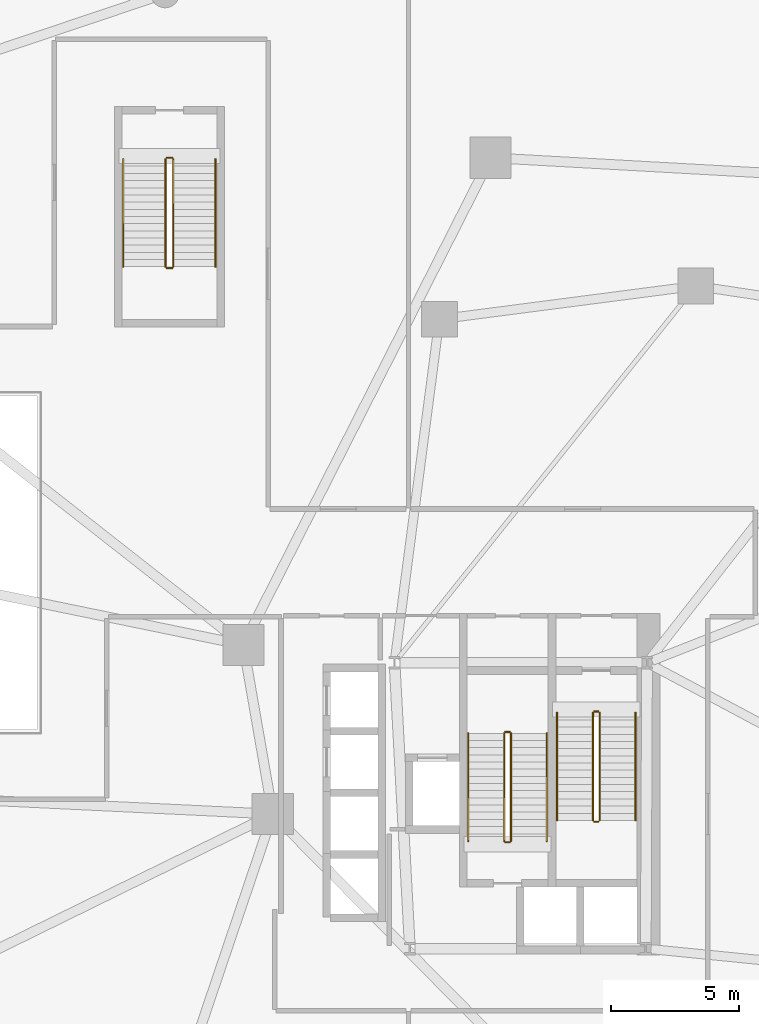
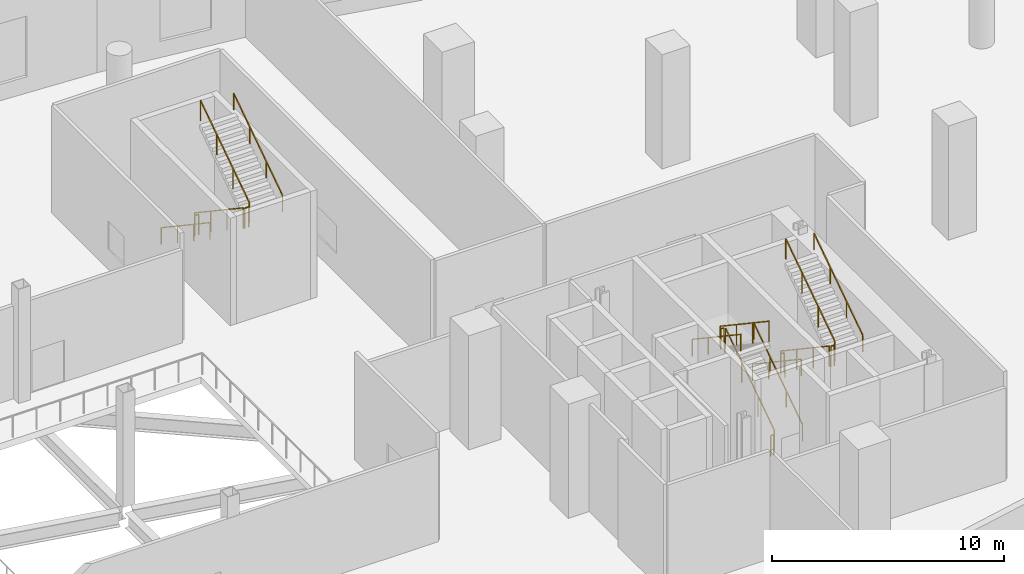
# One storey, part 20 of 20: 18 railings.
"""IFC4 building model written with IfcOpenShell, lengths in metres."""

from ifc_helpers import new_model, si_unit, direction, frame, origin, origin_2d, place, context, subcontext, project, spatial, rectangle, extrude, material, type_object, element, save


model = new_model("IFC4")

# Units and contexts
model_context = context("Model", 3, precision=1e-05, world=origin(), true_north=direction((0.0, 1.0)))
body_context = subcontext(model_context, "Body", "Model", "MODEL_VIEW")
ifc_project = project(units=[si_unit("LENGTHUNIT", "METRE"), si_unit("AREAUNIT", "SQUARE_METRE"), si_unit("VOLUMEUNIT", "CUBIC_METRE"), si_unit("PLANEANGLEUNIT", "RADIAN"), si_unit("MASSUNIT", "GRAM", prefix="KILO"), si_unit("THERMODYNAMICTEMPERATUREUNIT", "KELVIN"), si_unit("POWERUNIT", "WATT")], contexts=[model_context])

# Site, building, storey
site_placement = place(None, origin())
site = spatial("IfcSite", under=ifc_project, at=site_placement, CompositionType="ELEMENT")
building_placement = place(site_placement, origin())
building = spatial("IfcBuilding", under=site, at=building_placement, Name="Cundina Bronze Exchange", CompositionType="ELEMENT")
storey_placement = place(building_placement, frame((0.0, 0.0, 6.0)))
storey = spatial("IfcBuildingStorey", under=building, at=storey_placement, Name="L01", CompositionType="ELEMENT", Elevation=6.0)

# Railings
ifc_material = material(Name="Steel ASTM A36 Painted", Category="steel")
railing_type_1 = type_object("IfcRailingType", Name="RLG-HND-900", PredefinedType="HANDRAIL", material=ifc_material)
railing_1_placement = place(storey_placement, frame((27.7900390625, -5.85009765625, 0.1875)))
element("IfcRailing", 1, at=railing_1_placement, inside=storey, type_object=railing_type_1, Name="L01 ST-E1 stair handrail 1", PredefinedType="HANDRAIL", context=body_context, shape_type="SweptSolid", body=[
    extrude(rectangle(XDim=0.048095703125, YDim=0.048095703125, at=origin_2d()), frame((0.0, 0.0, 0.8759765625), z_axis=(0.0, -0.830904186295, 0.556415522067), x_axis=(1.0, 0.0, 0.0)), (0.0, 0.0, 1.0), 5.0546875),
    extrude(rectangle(XDim=0.0419921875, YDim=0.0419921875, at=origin_2d()), origin(), (0.0, 0.0, 1.0), 0.851806640625),
    extrude(rectangle(XDim=0.0419921875, YDim=0.0419921875, at=origin_2d()), frame((0.0, -1.39990234375, 0.9375)), (0.0, 0.0, 1.0), 0.851806640625),
    extrude(rectangle(XDim=0.0419921875, YDim=0.0419921875, at=origin_2d()), frame((0.0, -2.800048828125, 1.875)), (0.0, 0.0, 1.0), 0.851806640625),
    extrude(rectangle(XDim=0.0419921875, YDim=0.0419921875, at=origin_2d()), frame((0.0, -4.199951171875, 2.8125)), (0.0, 0.0, 1.0), 0.851806640625),
])
railing_2_placement = place(storey_placement, frame((30.85009765625, -10.050048828125, 3.1875)))
element("IfcRailing", 2, at=railing_2_placement, inside=storey, type_object=railing_type_1, Name="L01 ST-E1 stair handrail 2", PredefinedType="HANDRAIL", context=body_context, shape_type="SweptSolid", body=[
    extrude(rectangle(XDim=0.048095703125, YDim=0.048095703125, at=origin_2d()), frame((0.0, 0.0, 0.8759765625), z_axis=(0.0, 0.830904186295, 0.556415522067), x_axis=(-1.0, 0.0, 0.0)), (0.0, 0.0, 1.0), 5.0546875),
    extrude(rectangle(XDim=0.0419921875, YDim=0.0419921875, at=origin_2d()), origin(), (0.0, 0.0, 1.0), 0.851806640625),
    extrude(rectangle(XDim=0.0419921875, YDim=0.0419921875, at=origin_2d()), frame((0.0, 1.39990234375, 0.9375)), (0.0, 0.0, 1.0), 0.851806640625),
    extrude(rectangle(XDim=0.0419921875, YDim=0.0419921875, at=origin_2d()), frame((0.0, 2.800048828125, 1.875)), (0.0, 0.0, 1.0), 0.851806640625),
    extrude(rectangle(XDim=0.0419921875, YDim=0.0419921875, at=origin_2d()), frame((0.0, 4.199951171875, 2.8125)), (0.0, 0.0, 1.0), 0.851806640625),
])
railing_3_placement = place(storey_placement, frame((27.389892578125, -10.85009765625, 0.1875)))
element("IfcRailing", 3, at=railing_3_placement, inside=storey, type_object=railing_type_1, Name="L01 ST-E2 stair handrail 1", PredefinedType="HANDRAIL", context=body_context, shape_type="SweptSolid", body=[
    extrude(rectangle(XDim=0.048095703125, YDim=0.048095703125, at=origin_2d()), frame((0.0, 0.0, 0.8759765625), z_axis=(0.0, 0.830919138977, 0.55639319234), x_axis=(-1.0, 0.0, 0.0)), (0.0, 0.0, 1.0), 5.054931640625),
    extrude(rectangle(XDim=0.0419921875, YDim=0.0419921875, at=origin_2d()), origin(), (0.0, 0.0, 1.0), 0.851806640625),
    extrude(rectangle(XDim=0.0419921875, YDim=0.0419921875, at=origin_2d()), frame((0.0, 1.400146484375, 0.9375)), (0.0, 0.0, 1.0), 0.851806640625),
    extrude(rectangle(XDim=0.0419921875, YDim=0.0419921875, at=origin_2d()), frame((0.0, 2.800048828125, 1.875)), (0.0, 0.0, 1.0), 0.851806640625),
    extrude(rectangle(XDim=0.0419921875, YDim=0.0419921875, at=origin_2d()), frame((0.0, 4.2001953125, 2.8125)), (0.0, 0.0, 1.0), 0.851806640625),
])
railing_4_placement = place(storey_placement, frame((24.330078125, -6.64990234375, 3.1875)))
element("IfcRailing", 4, at=railing_4_placement, inside=storey, type_object=railing_type_1, Name="L01 ST-E2 stair handrail 2", PredefinedType="HANDRAIL", context=body_context, shape_type="SweptSolid", body=[
    extrude(rectangle(XDim=0.048095703125, YDim=0.048095703125, at=origin_2d()), frame((0.0, 0.0, 0.8759765625), z_axis=(0.0, -0.830919138977, 0.55639319234), x_axis=(1.0, 0.0, 0.0)), (0.0, 0.0, 1.0), 5.054931640625),
    extrude(rectangle(XDim=0.0419921875, YDim=0.0419921875, at=origin_2d()), origin(), (0.0, 0.0, 1.0), 0.851806640625),
    extrude(rectangle(XDim=0.0419921875, YDim=0.0419921875, at=origin_2d()), frame((0.0, -1.400146484375, 0.9375)), (0.0, 0.0, 1.0), 0.851806640625),
    extrude(rectangle(XDim=0.0419921875, YDim=0.0419921875, at=origin_2d()), frame((0.0, -2.800048828125, 1.875)), (0.0, 0.0, 1.0), 0.851806640625),
    extrude(rectangle(XDim=0.0419921875, YDim=0.0419921875, at=origin_2d()), frame((0.0, -4.2001953125, 2.8125)), (0.0, 0.0, 1.0), 0.851806640625),
])
railing_5_placement = place(storey_placement, frame((10.8701171875, 15.75, 0.1875)))
element("IfcRailing", 5, at=railing_5_placement, inside=storey, type_object=railing_type_1, Name="L01 ST-PE stair handrail 1", PredefinedType="HANDRAIL", context=body_context, shape_type="SweptSolid", body=[
    extrude(rectangle(XDim=0.048095703125, YDim=0.048095703125, at=origin_2d()), frame((0.0, 0.0, 0.8759765625), z_axis=(0.0, -0.830904186295, 0.556415522067), x_axis=(1.0, 0.0, 0.0)), (0.0, 0.0, 1.0), 5.0546875),
    extrude(rectangle(XDim=0.0419921875, YDim=0.0419921875, at=origin_2d()), origin(), (0.0, 0.0, 1.0), 0.851806640625),
    extrude(rectangle(XDim=0.0419921875, YDim=0.0419921875, at=origin_2d()), frame((0.0, -1.39990234375, 0.9375)), (0.0, 0.0, 1.0), 0.851806640625),
    extrude(rectangle(XDim=0.0419921875, YDim=0.0419921875, at=origin_2d()), frame((0.0, -2.800048828125, 1.875)), (0.0, 0.0, 1.0), 0.851806640625),
    extrude(rectangle(XDim=0.0419921875, YDim=0.0419921875, at=origin_2d()), frame((0.0, -4.199951171875, 2.8125)), (0.0, 0.0, 1.0), 0.851806640625),
])
railing_6_placement = place(storey_placement, frame((14.469970703125, 11.550048828125, 3.1875)))
element("IfcRailing", 6, at=railing_6_placement, inside=storey, type_object=railing_type_1, Name="L01 ST-PE stair handrail 2", PredefinedType="HANDRAIL", context=body_context, shape_type="SweptSolid", body=[
    extrude(rectangle(XDim=0.048095703125, YDim=0.048095703125, at=origin_2d()), frame((0.0, 0.0, 0.8759765625), z_axis=(0.0, 0.830904186295, 0.556415522067), x_axis=(-1.0, 0.0, 0.0)), (0.0, 0.0, 1.0), 5.0546875),
    extrude(rectangle(XDim=0.0419921875, YDim=0.0419921875, at=origin_2d()), origin(), (0.0, 0.0, 1.0), 0.851806640625),
    extrude(rectangle(XDim=0.0419921875, YDim=0.0419921875, at=origin_2d()), frame((0.0, 1.39990234375, 0.9375)), (0.0, 0.0, 1.0), 0.851806640625),
    extrude(rectangle(XDim=0.0419921875, YDim=0.0419921875, at=origin_2d()), frame((0.0, 2.800048828125, 1.875)), (0.0, 0.0, 1.0), 0.851806640625),
    extrude(rectangle(XDim=0.0419921875, YDim=0.0419921875, at=origin_2d()), frame((0.0, 4.199951171875, 2.8125)), (0.0, 0.0, 1.0), 0.851806640625),
])
railing_type_2 = type_object("IfcRailingType", Name="RLG-STG-1100", PredefinedType="GUARDRAIL", material=ifc_material)
railing_7_placement = place(storey_placement, frame((29.18994140625, -5.85009765625, 0.1875)))
element("IfcRailing", 7, at=railing_7_placement, inside=storey, type_object=railing_type_2, Name="L01 ST-E1 stair guard 1", PredefinedType="GUARDRAIL", context=body_context, shape_type="SweptSolid", body=[
    extrude(rectangle(XDim=0.048095703125, YDim=0.048095703125, at=origin_2d()), frame((0.0, 0.0, 1.076171875), z_axis=(0.0, -0.830904186295, 0.556415522067), x_axis=(1.0, 0.0, 0.0)), (0.0, 0.0, 1.0), 5.0546875),
    extrude(rectangle(XDim=0.0419921875, YDim=0.0419921875, at=origin_2d()), origin(), (0.0, 0.0, 1.0), 1.052001953125),
    extrude(rectangle(XDim=0.0419921875, YDim=0.0419921875, at=origin_2d()), frame((0.0, -1.39990234375, 0.9375)), (0.0, 0.0, 1.0), 1.052001953125),
    extrude(rectangle(XDim=0.0419921875, YDim=0.0419921875, at=origin_2d()), frame((0.0, -2.800048828125, 1.875)), (0.0, 0.0, 1.0), 1.052001953125),
    extrude(rectangle(XDim=0.0419921875, YDim=0.0419921875, at=origin_2d()), frame((0.0, -4.199951171875, 2.8125)), (0.0, 0.0, 1.0), 1.052001953125),
])
railing_8_placement = place(storey_placement, frame((29.239990234375, -10.10009765625, 3.0)))
element("IfcRailing", 8, at=railing_8_placement, inside=storey, type_object=railing_type_2, Name="L01 ST-E1 stair guard 2", PredefinedType="GUARDRAIL", context=body_context, shape_type="SweptSolid", body=[
    extrude(rectangle(XDim=0.048095703125, YDim=0.048095703125, at=origin_2d()), frame((0.0, 0.0, 1.076171875), z_axis=(1.0, 0.0, 0.0), x_axis=(0.0, 1.0, 0.0)), (0.0, 0.0, 1.0), 0.159912109375),
    extrude(rectangle(XDim=0.0419921875, YDim=0.0419921875, at=origin_2d()), origin(), (0.0, 0.0, 1.0), 1.052001953125),
    extrude(rectangle(XDim=0.0419921875, YDim=0.0419921875, at=origin_2d()), frame((0.159912109375, 0.0, 0.0)), (0.0, 0.0, 1.0), 1.052001953125),
])
railing_9_placement = place(storey_placement, frame((29.449951171875, -10.050048828125, 3.1875)))
element("IfcRailing", 9, at=railing_9_placement, inside=storey, type_object=railing_type_2, Name="L01 ST-E1 stair guard 3", PredefinedType="GUARDRAIL", context=body_context, shape_type="SweptSolid", body=[
    extrude(rectangle(XDim=0.048095703125, YDim=0.048095703125, at=origin_2d()), frame((0.0, 0.0, 1.076171875), z_axis=(0.0, 0.830904186295, 0.556415522067), x_axis=(-1.0, 0.0, 0.0)), (0.0, 0.0, 1.0), 5.0546875),
    extrude(rectangle(XDim=0.0419921875, YDim=0.0419921875, at=origin_2d()), origin(), (0.0, 0.0, 1.0), 1.052001953125),
    extrude(rectangle(XDim=0.0419921875, YDim=0.0419921875, at=origin_2d()), frame((0.0, 1.39990234375, 0.9375)), (0.0, 0.0, 1.0), 1.052001953125),
    extrude(rectangle(XDim=0.0419921875, YDim=0.0419921875, at=origin_2d()), frame((0.0, 2.800048828125, 1.875)), (0.0, 0.0, 1.0), 1.052001953125),
    extrude(rectangle(XDim=0.0419921875, YDim=0.0419921875, at=origin_2d()), frame((0.0, 4.199951171875, 2.8125)), (0.0, 0.0, 1.0), 1.052001953125),
])
railing_10_placement = place(storey_placement, frame((29.239990234375, -5.800048828125, 0.0)))
element("IfcRailing", 10, at=railing_10_placement, inside=storey, type_object=railing_type_2, Name="L01 ST-E1 stair guard 4", PredefinedType="GUARDRAIL", context=body_context, shape_type="SweptSolid", body=[
    extrude(rectangle(XDim=0.048095703125, YDim=0.048095703125, at=origin_2d()), frame((0.0, 0.0, 1.076171875), z_axis=(1.0, 0.0, 0.0), x_axis=(0.0, 1.0, 0.0)), (0.0, 0.0, 1.0), 0.159912109375),
    extrude(rectangle(XDim=0.0419921875, YDim=0.0419921875, at=origin_2d()), origin(), (0.0, 0.0, 1.0), 1.052001953125),
    extrude(rectangle(XDim=0.0419921875, YDim=0.0419921875, at=origin_2d()), frame((0.159912109375, 0.0, 0.0)), (0.0, 0.0, 1.0), 1.052001953125),
])
railing_11_placement = place(storey_placement, frame((25.989990234375, -10.85009765625, 0.1875)))
element("IfcRailing", 11, at=railing_11_placement, inside=storey, type_object=railing_type_2, Name="L01 ST-E2 stair guard 1", PredefinedType="GUARDRAIL", context=body_context, shape_type="SweptSolid", body=[
    extrude(rectangle(XDim=0.048095703125, YDim=0.048095703125, at=origin_2d()), frame((0.0, 0.0, 1.076171875), z_axis=(0.0, 0.830919138977, 0.55639319234), x_axis=(-1.0, 0.0, 0.0)), (0.0, 0.0, 1.0), 5.054931640625),
    extrude(rectangle(XDim=0.0419921875, YDim=0.0419921875, at=origin_2d()), origin(), (0.0, 0.0, 1.0), 1.052001953125),
    extrude(rectangle(XDim=0.0419921875, YDim=0.0419921875, at=origin_2d()), frame((0.0, 1.400146484375, 0.9375)), (0.0, 0.0, 1.0), 1.052001953125),
    extrude(rectangle(XDim=0.0419921875, YDim=0.0419921875, at=origin_2d()), frame((0.0, 2.800048828125, 1.875)), (0.0, 0.0, 1.0), 1.052001953125),
    extrude(rectangle(XDim=0.0419921875, YDim=0.0419921875, at=origin_2d()), frame((0.0, 4.2001953125, 2.8125)), (0.0, 0.0, 1.0), 1.052001953125),
])
railing_12_placement = place(storey_placement, frame((25.93994140625, -6.60009765625, 3.0)))
element("IfcRailing", 12, at=railing_12_placement, inside=storey, type_object=railing_type_2, Name="L01 ST-E2 stair guard 2", PredefinedType="GUARDRAIL", context=body_context, shape_type="SweptSolid", body=[
    extrude(rectangle(XDim=0.048095703125, YDim=0.048095703125, at=origin_2d()), frame((0.0, 0.0, 1.076171875), z_axis=(-1.0, 0.0, 0.0), x_axis=(0.0, -1.0, 0.0)), (0.0, 0.0, 1.0), 0.159912109375),
    extrude(rectangle(XDim=0.0419921875, YDim=0.0419921875, at=origin_2d()), origin(), (0.0, 0.0, 1.0), 1.052001953125),
    extrude(rectangle(XDim=0.0419921875, YDim=0.0419921875, at=origin_2d()), frame((-0.159912109375, 0.0, 0.0)), (0.0, 0.0, 1.0), 1.052001953125),
])
railing_13_placement = place(storey_placement, frame((25.72998046875, -6.64990234375, 3.1875)))
element("IfcRailing", 13, at=railing_13_placement, inside=storey, type_object=railing_type_2, Name="L01 ST-E2 stair guard 3", PredefinedType="GUARDRAIL", context=body_context, shape_type="SweptSolid", body=[
    extrude(rectangle(XDim=0.048095703125, YDim=0.048095703125, at=origin_2d()), frame((0.0, 0.0, 1.076171875), z_axis=(0.0, -0.830919138977, 0.55639319234), x_axis=(1.0, 0.0, 0.0)), (0.0, 0.0, 1.0), 5.054931640625),
    extrude(rectangle(XDim=0.0419921875, YDim=0.0419921875, at=origin_2d()), origin(), (0.0, 0.0, 1.0), 1.052001953125),
    extrude(rectangle(XDim=0.0419921875, YDim=0.0419921875, at=origin_2d()), frame((0.0, -1.400146484375, 0.9375)), (0.0, 0.0, 1.0), 1.052001953125),
    extrude(rectangle(XDim=0.0419921875, YDim=0.0419921875, at=origin_2d()), frame((0.0, -2.800048828125, 1.875)), (0.0, 0.0, 1.0), 1.052001953125),
    extrude(rectangle(XDim=0.0419921875, YDim=0.0419921875, at=origin_2d()), frame((0.0, -4.2001953125, 2.8125)), (0.0, 0.0, 1.0), 1.052001953125),
])
railing_14_placement = place(storey_placement, frame((25.93994140625, -10.89990234375, 0.0)))
element("IfcRailing", 14, at=railing_14_placement, inside=storey, type_object=railing_type_2, Name="L01 ST-E2 stair guard 4", PredefinedType="GUARDRAIL", context=body_context, shape_type="SweptSolid", body=[
    extrude(rectangle(XDim=0.048095703125, YDim=0.048095703125, at=origin_2d()), frame((0.0, 0.0, 1.076171875), z_axis=(-1.0, 0.0, 0.0), x_axis=(0.0, -1.0, 0.0)), (0.0, 0.0, 1.0), 0.159912109375),
    extrude(rectangle(XDim=0.0419921875, YDim=0.0419921875, at=origin_2d()), origin(), (0.0, 0.0, 1.0), 1.052001953125),
    extrude(rectangle(XDim=0.0419921875, YDim=0.0419921875, at=origin_2d()), frame((-0.159912109375, 0.0, 0.0)), (0.0, 0.0, 1.0), 1.052001953125),
])
railing_15_placement = place(storey_placement, frame((12.52001953125, 15.75, 0.1875)))
element("IfcRailing", 15, at=railing_15_placement, inside=storey, type_object=railing_type_2, Name="L01 ST-PE stair guard 1", PredefinedType="GUARDRAIL", context=body_context, shape_type="SweptSolid", body=[
    extrude(rectangle(XDim=0.048095703125, YDim=0.048095703125, at=origin_2d()), frame((0.0, 0.0, 1.076171875), z_axis=(0.0, -0.830904186295, 0.556415522067), x_axis=(1.0, 0.0, 0.0)), (0.0, 0.0, 1.0), 5.0546875),
    extrude(rectangle(XDim=0.0419921875, YDim=0.0419921875, at=origin_2d()), origin(), (0.0, 0.0, 1.0), 1.052001953125),
    extrude(rectangle(XDim=0.0419921875, YDim=0.0419921875, at=origin_2d()), frame((0.0, -1.39990234375, 0.9375)), (0.0, 0.0, 1.0), 1.052001953125),
    extrude(rectangle(XDim=0.0419921875, YDim=0.0419921875, at=origin_2d()), frame((0.0, -2.800048828125, 1.875)), (0.0, 0.0, 1.0), 1.052001953125),
    extrude(rectangle(XDim=0.0419921875, YDim=0.0419921875, at=origin_2d()), frame((0.0, -4.199951171875, 2.8125)), (0.0, 0.0, 1.0), 1.052001953125),
])
railing_16_placement = place(storey_placement, frame((12.570068359375, 11.5, 3.0)))
element("IfcRailing", 16, at=railing_16_placement, inside=storey, type_object=railing_type_2, Name="L01 ST-PE stair guard 2", PredefinedType="GUARDRAIL", context=body_context, shape_type="SweptSolid", body=[
    extrude(rectangle(XDim=0.048095703125, YDim=0.048095703125, at=origin_2d()), frame((0.0, 0.0, 1.076171875), z_axis=(1.0, 0.0, 0.0), x_axis=(0.0, 1.0, 0.0)), (0.0, 0.0, 1.0), 0.199951171875),
    extrude(rectangle(XDim=0.0419921875, YDim=0.0419921875, at=origin_2d()), origin(), (0.0, 0.0, 1.0), 1.052001953125),
    extrude(rectangle(XDim=0.0419921875, YDim=0.0419921875, at=origin_2d()), frame((0.199951171875, 0.0, 0.0)), (0.0, 0.0, 1.0), 1.052001953125),
])
railing_17_placement = place(storey_placement, frame((12.820068359375, 11.550048828125, 3.1875)))
element("IfcRailing", 17, at=railing_17_placement, inside=storey, type_object=railing_type_2, Name="L01 ST-PE stair guard 3", PredefinedType="GUARDRAIL", context=body_context, shape_type="SweptSolid", body=[
    extrude(rectangle(XDim=0.048095703125, YDim=0.048095703125, at=origin_2d()), frame((0.0, 0.0, 1.076171875), z_axis=(0.0, 0.830904186295, 0.556415522067), x_axis=(-1.0, 0.0, 0.0)), (0.0, 0.0, 1.0), 5.0546875),
    extrude(rectangle(XDim=0.0419921875, YDim=0.0419921875, at=origin_2d()), origin(), (0.0, 0.0, 1.0), 1.052001953125),
    extrude(rectangle(XDim=0.0419921875, YDim=0.0419921875, at=origin_2d()), frame((0.0, 1.39990234375, 0.9375)), (0.0, 0.0, 1.0), 1.052001953125),
    extrude(rectangle(XDim=0.0419921875, YDim=0.0419921875, at=origin_2d()), frame((0.0, 2.800048828125, 1.875)), (0.0, 0.0, 1.0), 1.052001953125),
    extrude(rectangle(XDim=0.0419921875, YDim=0.0419921875, at=origin_2d()), frame((0.0, 4.199951171875, 2.8125)), (0.0, 0.0, 1.0), 1.052001953125),
])
railing_18_placement = place(storey_placement, frame((12.570068359375, 15.800048828125, 0.0)))
element("IfcRailing", 18, at=railing_18_placement, inside=storey, type_object=railing_type_2, Name="L01 ST-PE stair guard 4", PredefinedType="GUARDRAIL", context=body_context, shape_type="SweptSolid", body=[
    extrude(rectangle(XDim=0.048095703125, YDim=0.048095703125, at=origin_2d()), frame((0.0, 0.0, 1.076171875), z_axis=(1.0, 0.0, 0.0), x_axis=(0.0, 1.0, 0.0)), (0.0, 0.0, 1.0), 0.199951171875),
    extrude(rectangle(XDim=0.0419921875, YDim=0.0419921875, at=origin_2d()), origin(), (0.0, 0.0, 1.0), 1.052001953125),
    extrude(rectangle(XDim=0.0419921875, YDim=0.0419921875, at=origin_2d()), frame((0.199951171875, 0.0, 0.0)), (0.0, 0.0, 1.0), 1.052001953125),
])

save(model, "model.ifc")
